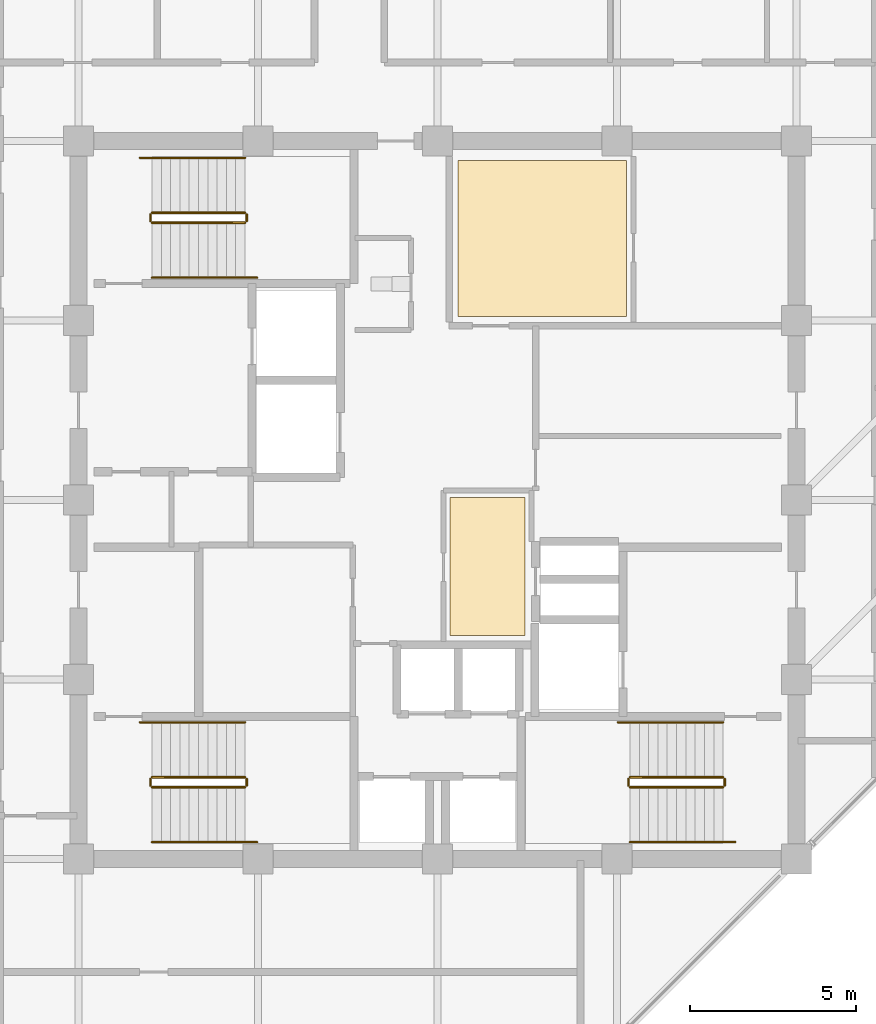
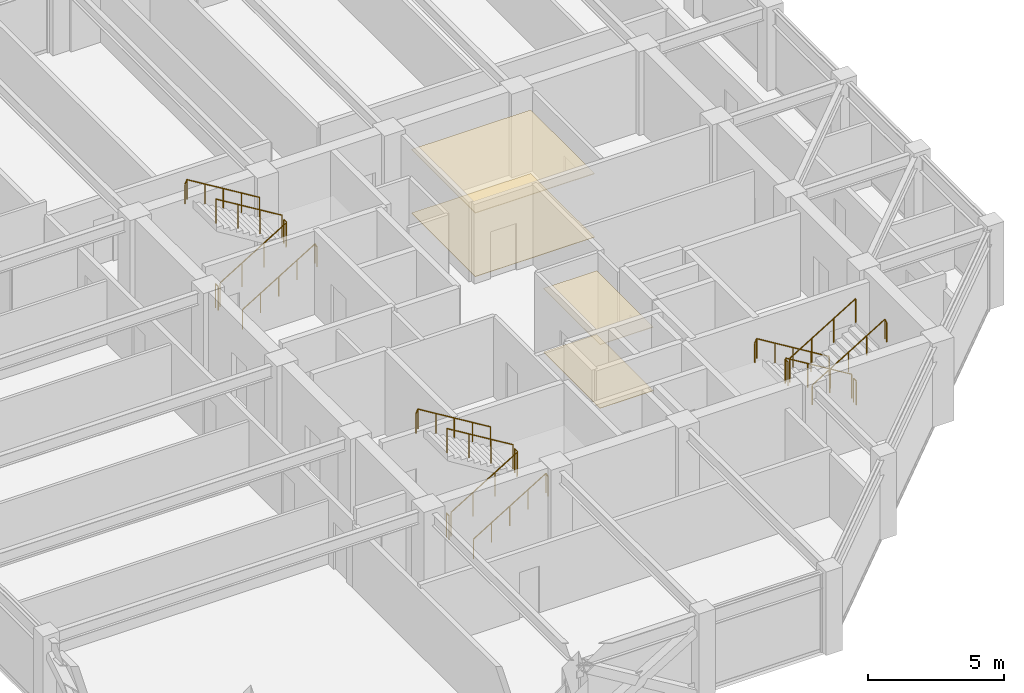
# One storey, part 30 of 31: 18 railings, 4 coverings.
"""IFC4 building model written with IfcOpenShell, lengths in metres."""

from ifc_helpers import new_model, si_unit, direction, frame, origin, origin_2d, place, context, subcontext, project, spatial, polyline, circle, outline, extrude, material, layer, layer_set, type_object, element, save


model = new_model("IFC4")

# Units and contexts
model_context = context("Model", 3, precision=1e-05, world=origin(), true_north=direction((0.0, 1.0)))
body_context = subcontext(model_context, "Body", "Model", "MODEL_VIEW")
ifc_project = project(units=[si_unit("LENGTHUNIT", "METRE"), si_unit("AREAUNIT", "SQUARE_METRE"), si_unit("VOLUMEUNIT", "CUBIC_METRE"), si_unit("PLANEANGLEUNIT", "RADIAN"), si_unit("MASSUNIT", "GRAM", prefix="KILO")], contexts=[model_context])

# Site, building, storey
site_placement = place(None, origin())
site = spatial("IfcSite", under=ifc_project, at=site_placement, CompositionType="ELEMENT")
building_placement = place(site_placement, origin())
building = spatial("IfcBuilding", under=site, at=building_placement, Name="Surkhivell Harbour Commons", CompositionType="ELEMENT")
storey_placement = place(building_placement, frame((0.0, 0.0, 288.75)))
storey = spatial("IfcBuildingStorey", under=building, at=storey_placement, Name="L75", CompositionType="ELEMENT", Elevation=288.75)

# Coverings
ifc_material_1 = material(Name="Perforated acoustic mineral-fibre ceiling tile", Category="other")
ifc_layer_1 = layer(ifc_material_1, 0.02490234375)
ifc_layer_set_1 = layer_set([ifc_layer_1], Name="Perforated acoustic mineral-fibre ceiling tile")
covering_type_1 = type_object("IfcCoveringType", Name="COV-CEIL-AC", PredefinedType="CEILING", material=ifc_layer_set_1)
covering_1_placement = place(storey_placement, frame((0.0, 0.0, 2.85205078125)))
element("IfcCovering", 1, at=covering_1_placement, inside=storey, type_object=covering_type_1, Name="L75 Suspended Acoustic Ceiling 1", PredefinedType="CEILING", context=body_context, shape_type="SweptSolid", body=[
    extrude(outline(polyline([(0.3701171875, -4.080078125), (2.6298828125, -4.080078125), (2.6298828125, 0.080078125), (0.3701171875, 0.080078125), (0.3701171875, -4.080078125)])), origin(), (0.0, 0.0, 1.0), 0.02490234375),
])
ifc_material_2 = material(Name="Moisture-resistant gypsum acoustic ceiling board", Category="other")
ifc_layer_2 = layer(ifc_material_2, 0.030029296875)
ifc_layer_set_2 = layer_set([ifc_layer_2], Name="Moisture-resistant gypsum acoustic ceiling board")
covering_type_2 = type_object("IfcCoveringType", Name="COV-CEIL-GYP", PredefinedType="CEILING", material=ifc_layer_set_2)
covering_2_placement = place(storey_placement, frame((0.0, 0.0, 2.846923828125)))
element("IfcCovering", 2, at=covering_2_placement, inside=storey, type_object=covering_type_2, Name="L75 Suspended Acoustic Ceiling 2", PredefinedType="CEILING", context=body_context, shape_type="SweptSolid", body=[
    extrude(outline(polyline([(0.6201171875, 5.52001953125), (5.679931640625, 5.52001953125), (5.679931640625, 10.219970703125), (0.6201171875, 10.219970703125), (0.6201171875, 5.52001953125)])), origin(), (0.0, 0.0, 1.0), 0.030029296875),
])
ifc_material_3 = material(Name="Engineered acoustic oak timber flooring", Category="wood")
ifc_layer_3 = layer(ifc_material_3, 0.02001953125)
ifc_layer_set_3 = layer_set([ifc_layer_3], Name="Engineered acoustic oak timber flooring")
covering_type_3 = type_object("IfcCoveringType", Name="COV-FLR-TIM", PredefinedType="FLOORING", material=ifc_layer_set_3)
covering_3_placement = place(storey_placement, origin())
element("IfcCovering", 3, at=covering_3_placement, inside=storey, type_object=covering_type_3, Name="L75 Interior Floor Finish 1", PredefinedType="FLOORING", context=body_context, shape_type="SweptSolid", body=[
    extrude(outline(polyline([(0.3701171875, -4.080078125), (2.6298828125, -4.080078125), (2.6298828125, 0.080078125), (0.3701171875, 0.080078125), (0.3701171875, -4.080078125)])), origin(), (0.0, 0.0, 1.0), 0.02001953125),
])
covering_4_placement = place(storey_placement, origin())
element("IfcCovering", 4, at=covering_4_placement, inside=storey, type_object=covering_type_3, Name="L75 Interior Floor Finish 2", PredefinedType="FLOORING", context=body_context, shape_type="SweptSolid", body=[
    extrude(outline(polyline([(0.6201171875, 5.52001953125), (5.679931640625, 5.52001953125), (5.679931640625, 10.219970703125), (0.6201171875, 10.219970703125), (0.6201171875, 5.52001953125)])), origin(), (0.0, 0.0, 1.0), 0.02001953125),
])

# Railings
ifc_material_4 = material(Name="Galvanised and painted steel S355 guard rail", Category="steel")
railing_type_1 = type_object("IfcRailingType", Name="RAL-ST-GRD1100", PredefinedType="GUARDRAIL", material=ifc_material_4)
railing_1_placement = place(storey_placement, frame((-8.590087890625, 8.340087890625, 0.17041015625)))
element("IfcRailing", 5, at=railing_1_placement, inside=storey, type_object=railing_type_1, Name="L75 ST1 stair guard 1", PredefinedType="GUARDRAIL", context=body_context, shape_type="SweptSolid", body=[
    extrude(circle(Radius=0.02392578125, at=origin_2d()), frame((0.0, 0.0, 1.076171875), z_axis=(0.854169791009, 0.0, 0.51999420009), x_axis=(0.0, 1.0, 0.0)), (0.0, 0.0, 1.0), 3.278076171875),
    extrude(circle(Radius=0.02099609375, at=origin_2d()), origin(), (0.0, 0.0, 1.0), 1.052001953125),
    extrude(circle(Radius=0.02099609375, at=origin_2d()), frame((0.933349609375, 0.0, 0.568115234375)), (0.0, 0.0, 1.0), 1.052001953125),
    extrude(circle(Radius=0.02099609375, at=origin_2d()), frame((1.86669921875, 0.0, 1.136474609375)), (0.0, 0.0, 1.0), 1.052001953125),
    extrude(circle(Radius=0.02099609375, at=origin_2d()), frame((2.800048828125, 0.0, 1.70458984375)), (0.0, 0.0, 1.0), 1.052001953125),
])
railing_2_placement = place(storey_placement, frame((-5.739990234375, 8.389892578125, 1.875)))
element("IfcRailing", 6, at=railing_2_placement, inside=storey, type_object=railing_type_1, Name="L75 ST1 stair guard 2", PredefinedType="GUARDRAIL", context=body_context, shape_type="SweptSolid", body=[
    extrude(circle(Radius=0.02392578125, at=origin_2d()), frame((0.0, 0.0, 1.076171875), z_axis=(0.0, 1.0, 0.0), x_axis=(-1.0, 0.0, 0.0)), (0.0, 0.0, 1.0), 0.2001953125),
    extrude(circle(Radius=0.02099609375, at=origin_2d()), origin(), (0.0, 0.0, 1.0), 1.052001953125),
    extrude(circle(Radius=0.02099609375, at=origin_2d()), frame((0.0, 0.2001953125, 0.0)), (0.0, 0.0, 1.0), 1.052001953125),
])
railing_3_placement = place(storey_placement, frame((-5.7900390625, 8.639892578125, 2.04541015625)))
element("IfcRailing", 7, at=railing_3_placement, inside=storey, type_object=railing_type_1, Name="L75 ST1 stair guard 3", PredefinedType="GUARDRAIL", context=body_context, shape_type="SweptSolid", body=[
    extrude(circle(Radius=0.02392578125, at=origin_2d()), frame((0.0, 0.0, 1.076171875), z_axis=(-0.854169791009, 0.0, 0.51999420009), x_axis=(0.0, -1.0, 0.0)), (0.0, 0.0, 1.0), 3.278076171875),
    extrude(circle(Radius=0.02099609375, at=origin_2d()), origin(), (0.0, 0.0, 1.0), 1.052001953125),
    extrude(circle(Radius=0.02099609375, at=origin_2d()), frame((-0.933349609375, 0.0, 0.568115234375)), (0.0, 0.0, 1.0), 1.052001953125),
    extrude(circle(Radius=0.02099609375, at=origin_2d()), frame((-1.86669921875, 0.0, 1.136474609375)), (0.0, 0.0, 1.0), 1.052001953125),
    extrude(circle(Radius=0.02099609375, at=origin_2d()), frame((-2.800048828125, 0.0, 1.70458984375)), (0.0, 0.0, 1.0), 1.052001953125),
])
railing_4_placement = place(storey_placement, frame((-8.639892578125, 8.389892578125, 0.0)))
element("IfcRailing", 8, at=railing_4_placement, inside=storey, type_object=railing_type_1, Name="L75 ST1 stair guard 4", PredefinedType="GUARDRAIL", context=body_context, shape_type="SweptSolid", body=[
    extrude(circle(Radius=0.02392578125, at=origin_2d()), frame((0.0, 0.0, 1.076171875), z_axis=(0.0, 1.0, 0.0), x_axis=(-1.0, 0.0, 0.0)), (0.0, 0.0, 1.0), 0.2001953125),
    extrude(circle(Radius=0.02099609375, at=origin_2d()), origin(), (0.0, 0.0, 1.0), 1.052001953125),
    extrude(circle(Radius=0.02099609375, at=origin_2d()), frame((0.0, 0.2001953125, 0.0)), (0.0, 0.0, 1.0), 1.052001953125),
])
railing_5_placement = place(storey_placement, frame((8.590087890625, -8.340087890625, 0.17041015625)))
element("IfcRailing", 9, at=railing_5_placement, inside=storey, type_object=railing_type_1, Name="L75 ST2 stair guard 1", PredefinedType="GUARDRAIL", context=body_context, shape_type="SweptSolid", body=[
    extrude(circle(Radius=0.02392578125, at=origin_2d()), frame((0.0, 0.0, 1.076171875), z_axis=(-0.854169791009, 0.0, 0.51999420009), x_axis=(0.0, -1.0, 0.0)), (0.0, 0.0, 1.0), 3.278076171875),
    extrude(circle(Radius=0.02099609375, at=origin_2d()), origin(), (0.0, 0.0, 1.0), 1.052001953125),
    extrude(circle(Radius=0.02099609375, at=origin_2d()), frame((-0.933349609375, 0.0, 0.568115234375)), (0.0, 0.0, 1.0), 1.052001953125),
    extrude(circle(Radius=0.02099609375, at=origin_2d()), frame((-1.86669921875, 0.0, 1.136474609375)), (0.0, 0.0, 1.0), 1.052001953125),
    extrude(circle(Radius=0.02099609375, at=origin_2d()), frame((-2.800048828125, 0.0, 1.70458984375)), (0.0, 0.0, 1.0), 1.052001953125),
])
railing_6_placement = place(storey_placement, frame((5.739990234375, -8.389892578125, 1.875)))
element("IfcRailing", 10, at=railing_6_placement, inside=storey, type_object=railing_type_1, Name="L75 ST2 stair guard 2", PredefinedType="GUARDRAIL", context=body_context, shape_type="SweptSolid", body=[
    extrude(circle(Radius=0.02392578125, at=origin_2d()), frame((0.0, 0.0, 1.076171875), z_axis=(0.0, -1.0, 0.0), x_axis=(1.0, 0.0, 0.0)), (0.0, 0.0, 1.0), 0.2001953125),
    extrude(circle(Radius=0.02099609375, at=origin_2d()), origin(), (0.0, 0.0, 1.0), 1.052001953125),
    extrude(circle(Radius=0.02099609375, at=origin_2d()), frame((0.0, -0.2001953125, 0.0)), (0.0, 0.0, 1.0), 1.052001953125),
])
railing_7_placement = place(storey_placement, frame((5.7900390625, -8.639892578125, 2.04541015625)))
element("IfcRailing", 11, at=railing_7_placement, inside=storey, type_object=railing_type_1, Name="L75 ST2 stair guard 3", PredefinedType="GUARDRAIL", context=body_context, shape_type="SweptSolid", body=[
    extrude(circle(Radius=0.02392578125, at=origin_2d()), frame((0.0, 0.0, 1.076171875), z_axis=(0.854169791009, 0.0, 0.51999420009), x_axis=(0.0, 1.0, 0.0)), (0.0, 0.0, 1.0), 3.278076171875),
    extrude(circle(Radius=0.02099609375, at=origin_2d()), origin(), (0.0, 0.0, 1.0), 1.052001953125),
    extrude(circle(Radius=0.02099609375, at=origin_2d()), frame((0.933349609375, 0.0, 0.568115234375)), (0.0, 0.0, 1.0), 1.052001953125),
    extrude(circle(Radius=0.02099609375, at=origin_2d()), frame((1.86669921875, 0.0, 1.136474609375)), (0.0, 0.0, 1.0), 1.052001953125),
    extrude(circle(Radius=0.02099609375, at=origin_2d()), frame((2.800048828125, 0.0, 1.70458984375)), (0.0, 0.0, 1.0), 1.052001953125),
])
railing_8_placement = place(storey_placement, frame((8.639892578125, -8.389892578125, 0.0)))
element("IfcRailing", 12, at=railing_8_placement, inside=storey, type_object=railing_type_1, Name="L75 ST2 stair guard 4", PredefinedType="GUARDRAIL", context=body_context, shape_type="SweptSolid", body=[
    extrude(circle(Radius=0.02392578125, at=origin_2d()), frame((0.0, 0.0, 1.076171875), z_axis=(0.0, -1.0, 0.0), x_axis=(1.0, 0.0, 0.0)), (0.0, 0.0, 1.0), 0.2001953125),
    extrude(circle(Radius=0.02099609375, at=origin_2d()), origin(), (0.0, 0.0, 1.0), 1.052001953125),
    extrude(circle(Radius=0.02099609375, at=origin_2d()), frame((0.0, -0.2001953125, 0.0)), (0.0, 0.0, 1.0), 1.052001953125),
])
railing_9_placement = place(storey_placement, frame((-8.590087890625, -8.639892578125, 0.17041015625)))
element("IfcRailing", 13, at=railing_9_placement, inside=storey, type_object=railing_type_1, Name="L75 ST3 stair guard 1", PredefinedType="GUARDRAIL", context=body_context, shape_type="SweptSolid", body=[
    extrude(circle(Radius=0.02392578125, at=origin_2d()), frame((0.0, 0.0, 1.076171875), z_axis=(0.854169791009, 0.0, 0.51999420009), x_axis=(0.0, 1.0, 0.0)), (0.0, 0.0, 1.0), 3.278076171875),
    extrude(circle(Radius=0.02099609375, at=origin_2d()), origin(), (0.0, 0.0, 1.0), 1.052001953125),
    extrude(circle(Radius=0.02099609375, at=origin_2d()), frame((0.933349609375, 0.0, 0.568115234375)), (0.0, 0.0, 1.0), 1.052001953125),
    extrude(circle(Radius=0.02099609375, at=origin_2d()), frame((1.86669921875, 0.0, 1.136474609375)), (0.0, 0.0, 1.0), 1.052001953125),
    extrude(circle(Radius=0.02099609375, at=origin_2d()), frame((2.800048828125, 0.0, 1.70458984375)), (0.0, 0.0, 1.0), 1.052001953125),
])
railing_10_placement = place(storey_placement, frame((-5.739990234375, -8.590087890625, 1.875)))
element("IfcRailing", 14, at=railing_10_placement, inside=storey, type_object=railing_type_1, Name="L75 ST3 stair guard 2", PredefinedType="GUARDRAIL", context=body_context, shape_type="SweptSolid", body=[
    extrude(circle(Radius=0.02392578125, at=origin_2d()), frame((0.0, 0.0, 1.076171875), z_axis=(0.0, 1.0, 0.0), x_axis=(-1.0, 0.0, 0.0)), (0.0, 0.0, 1.0), 0.2001953125),
    extrude(circle(Radius=0.02099609375, at=origin_2d()), origin(), (0.0, 0.0, 1.0), 1.052001953125),
    extrude(circle(Radius=0.02099609375, at=origin_2d()), frame((0.0, 0.2001953125, 0.0)), (0.0, 0.0, 1.0), 1.052001953125),
])
railing_11_placement = place(storey_placement, frame((-5.7900390625, -8.340087890625, 2.04541015625)))
element("IfcRailing", 15, at=railing_11_placement, inside=storey, type_object=railing_type_1, Name="L75 ST3 stair guard 3", PredefinedType="GUARDRAIL", context=body_context, shape_type="SweptSolid", body=[
    extrude(circle(Radius=0.02392578125, at=origin_2d()), frame((0.0, 0.0, 1.076171875), z_axis=(-0.854169791009, 0.0, 0.51999420009), x_axis=(0.0, -1.0, 0.0)), (0.0, 0.0, 1.0), 3.278076171875),
    extrude(circle(Radius=0.02099609375, at=origin_2d()), origin(), (0.0, 0.0, 1.0), 1.052001953125),
    extrude(circle(Radius=0.02099609375, at=origin_2d()), frame((-0.933349609375, 0.0, 0.568115234375)), (0.0, 0.0, 1.0), 1.052001953125),
    extrude(circle(Radius=0.02099609375, at=origin_2d()), frame((-1.86669921875, 0.0, 1.136474609375)), (0.0, 0.0, 1.0), 1.052001953125),
    extrude(circle(Radius=0.02099609375, at=origin_2d()), frame((-2.800048828125, 0.0, 1.70458984375)), (0.0, 0.0, 1.0), 1.052001953125),
])
railing_12_placement = place(storey_placement, frame((-8.639892578125, -8.590087890625, 0.0)))
element("IfcRailing", 16, at=railing_12_placement, inside=storey, type_object=railing_type_1, Name="L75 ST3 stair guard 4", PredefinedType="GUARDRAIL", context=body_context, shape_type="SweptSolid", body=[
    extrude(circle(Radius=0.02392578125, at=origin_2d()), frame((0.0, 0.0, 1.076171875), z_axis=(0.0, 1.0, 0.0), x_axis=(-1.0, 0.0, 0.0)), (0.0, 0.0, 1.0), 0.2001953125),
    extrude(circle(Radius=0.02099609375, at=origin_2d()), origin(), (0.0, 0.0, 1.0), 1.052001953125),
    extrude(circle(Radius=0.02099609375, at=origin_2d()), frame((0.0, 0.2001953125, 0.0)), (0.0, 0.0, 1.0), 1.052001953125),
])
ifc_material_5 = material(Name="Brushed stainless steel S355 handrail", Category="steel")
railing_type_2 = type_object("IfcRailingType", Name="RAL-ST-HND900", PredefinedType="HANDRAIL", material=ifc_material_5)
railing_13_placement = place(storey_placement, frame((-8.590087890625, 6.68994140625, 0.17041015625)))
element("IfcRailing", 17, at=railing_13_placement, inside=storey, type_object=railing_type_2, Name="L75 ST1 stair handrail 1", PredefinedType="HANDRAIL", context=body_context, shape_type="SweptSolid", body=[
    extrude(circle(Radius=0.02392578125, at=origin_2d()), frame((0.0, 0.0, 0.8759765625), z_axis=(0.854177636135, 0.0, 0.519981313056), x_axis=(0.0, 1.0, 0.0)), (0.0, 0.0, 1.0), 3.60595703125),
    extrude(circle(Radius=0.02392578125, at=origin_2d()), frame((3.080078125, 0.0, 2.7509765625), z_axis=(0.425297416671, 0.0, -0.905053648892), x_axis=(0.0, 1.0, 0.0)), (0.0, 0.0, 1.0), 0.188232421875),
    extrude(circle(Radius=0.02099609375, at=origin_2d()), origin(), (0.0, 0.0, 1.0), 0.851806640625),
    extrude(circle(Radius=0.02099609375, at=origin_2d()), frame((0.77001953125, 0.0, 0.46875)), (0.0, 0.0, 1.0), 0.851806640625),
    extrude(circle(Radius=0.02099609375, at=origin_2d()), frame((1.5400390625, 0.0, 0.9375)), (0.0, 0.0, 1.0), 0.851806640625),
    extrude(circle(Radius=0.02099609375, at=origin_2d()), frame((2.31005859375, 0.0, 1.40625)), (0.0, 0.0, 1.0), 0.851806640625),
    extrude(circle(Radius=0.02099609375, at=origin_2d()), frame((3.080078125, 0.0, 1.875)), (0.0, 0.0, 1.0), 0.851806640625),
    extrude(circle(Radius=0.02099609375, at=origin_2d()), frame((3.16015625, 0.0, 1.70458984375)), (0.0, 0.0, 1.0), 0.851806640625),
])
railing_14_placement = place(storey_placement, frame((-5.7900390625, 10.2900390625, 2.04541015625)))
element("IfcRailing", 18, at=railing_14_placement, inside=storey, type_object=railing_type_2, Name="L75 ST1 stair handrail 2", PredefinedType="HANDRAIL", context=body_context, shape_type="SweptSolid", body=[
    extrude(circle(Radius=0.02392578125, at=origin_2d()), frame((0.0, 0.0, 0.8759765625), z_axis=(-0.854177636135, 0.0, 0.519981313056), x_axis=(0.0, -1.0, 0.0)), (0.0, 0.0, 1.0), 3.60595703125),
    extrude(circle(Radius=0.02392578125, at=origin_2d()), frame((-3.080078125, 0.0, 2.7509765625), z_axis=(-0.424234432967, 0.0, -0.905552398199), x_axis=(0.0, -1.0, 0.0)), (0.0, 0.0, 1.0), 0.188232421875),
    extrude(circle(Radius=0.02099609375, at=origin_2d()), origin(), (0.0, 0.0, 1.0), 0.851806640625),
    extrude(circle(Radius=0.02099609375, at=origin_2d()), frame((-0.77001953125, 0.0, 0.46875)), (0.0, 0.0, 1.0), 0.851806640625),
    extrude(circle(Radius=0.02099609375, at=origin_2d()), frame((-1.5400390625, 0.0, 0.9375)), (0.0, 0.0, 1.0), 0.851806640625),
    extrude(circle(Radius=0.02099609375, at=origin_2d()), frame((-2.31005859375, 0.0, 1.40625)), (0.0, 0.0, 1.0), 0.851806640625),
    extrude(circle(Radius=0.02099609375, at=origin_2d()), frame((-3.080078125, 0.0, 1.875)), (0.0, 0.0, 1.0), 0.851806640625),
    extrude(circle(Radius=0.02099609375, at=origin_2d()), frame((-3.159912109375, 0.0, 1.70458984375)), (0.0, 0.0, 1.0), 0.851806640625),
])
railing_15_placement = place(storey_placement, frame((8.590087890625, -6.68994140625, 0.17041015625)))
element("IfcRailing", 19, at=railing_15_placement, inside=storey, type_object=railing_type_2, Name="L75 ST2 stair handrail 1", PredefinedType="HANDRAIL", context=body_context, shape_type="SweptSolid", body=[
    extrude(circle(Radius=0.02392578125, at=origin_2d()), frame((0.0, 0.0, 0.8759765625), z_axis=(-0.854177636135, 0.0, 0.519981313056), x_axis=(0.0, -1.0, 0.0)), (0.0, 0.0, 1.0), 3.60595703125),
    extrude(circle(Radius=0.02392578125, at=origin_2d()), frame((-3.080078125, 0.0, 2.7509765625), z_axis=(-0.425297416671, 0.0, -0.905053648892), x_axis=(0.0, -1.0, 0.0)), (0.0, 0.0, 1.0), 0.188232421875),
    extrude(circle(Radius=0.02099609375, at=origin_2d()), origin(), (0.0, 0.0, 1.0), 0.851806640625),
    extrude(circle(Radius=0.02099609375, at=origin_2d()), frame((-0.77001953125, 0.0, 0.46875)), (0.0, 0.0, 1.0), 0.851806640625),
    extrude(circle(Radius=0.02099609375, at=origin_2d()), frame((-1.5400390625, 0.0, 0.9375)), (0.0, 0.0, 1.0), 0.851806640625),
    extrude(circle(Radius=0.02099609375, at=origin_2d()), frame((-2.31005859375, 0.0, 1.40625)), (0.0, 0.0, 1.0), 0.851806640625),
    extrude(circle(Radius=0.02099609375, at=origin_2d()), frame((-3.080078125, 0.0, 1.875)), (0.0, 0.0, 1.0), 0.851806640625),
    extrude(circle(Radius=0.02099609375, at=origin_2d()), frame((-3.16015625, 0.0, 1.70458984375)), (0.0, 0.0, 1.0), 0.851806640625),
])
railing_16_placement = place(storey_placement, frame((5.7900390625, -10.2900390625, 2.04541015625)))
element("IfcRailing", 20, at=railing_16_placement, inside=storey, type_object=railing_type_2, Name="L75 ST2 stair handrail 2", PredefinedType="HANDRAIL", context=body_context, shape_type="SweptSolid", body=[
    extrude(circle(Radius=0.02392578125, at=origin_2d()), frame((0.0, 0.0, 0.8759765625), z_axis=(0.854177636135, 0.0, 0.519981313056), x_axis=(0.0, 1.0, 0.0)), (0.0, 0.0, 1.0), 3.60595703125),
    extrude(circle(Radius=0.02392578125, at=origin_2d()), frame((3.080078125, 0.0, 2.7509765625), z_axis=(0.424234432967, 0.0, -0.905552398199), x_axis=(0.0, 1.0, 0.0)), (0.0, 0.0, 1.0), 0.188232421875),
    extrude(circle(Radius=0.02099609375, at=origin_2d()), origin(), (0.0, 0.0, 1.0), 0.851806640625),
    extrude(circle(Radius=0.02099609375, at=origin_2d()), frame((0.77001953125, 0.0, 0.46875)), (0.0, 0.0, 1.0), 0.851806640625),
    extrude(circle(Radius=0.02099609375, at=origin_2d()), frame((1.5400390625, 0.0, 0.9375)), (0.0, 0.0, 1.0), 0.851806640625),
    extrude(circle(Radius=0.02099609375, at=origin_2d()), frame((2.31005859375, 0.0, 1.40625)), (0.0, 0.0, 1.0), 0.851806640625),
    extrude(circle(Radius=0.02099609375, at=origin_2d()), frame((3.080078125, 0.0, 1.875)), (0.0, 0.0, 1.0), 0.851806640625),
    extrude(circle(Radius=0.02099609375, at=origin_2d()), frame((3.159912109375, 0.0, 1.70458984375)), (0.0, 0.0, 1.0), 0.851806640625),
])
railing_17_placement = place(storey_placement, frame((-8.590087890625, -10.2900390625, 0.17041015625)))
element("IfcRailing", 21, at=railing_17_placement, inside=storey, type_object=railing_type_2, Name="L75 ST3 stair handrail 1", PredefinedType="HANDRAIL", context=body_context, shape_type="SweptSolid", body=[
    extrude(circle(Radius=0.02392578125, at=origin_2d()), frame((0.0, 0.0, 0.8759765625), z_axis=(0.854177636135, 0.0, 0.519981313056), x_axis=(0.0, 1.0, 0.0)), (0.0, 0.0, 1.0), 3.60595703125),
    extrude(circle(Radius=0.02392578125, at=origin_2d()), frame((3.080078125, 0.0, 2.7509765625), z_axis=(0.425297416671, 0.0, -0.905053648892), x_axis=(0.0, 1.0, 0.0)), (0.0, 0.0, 1.0), 0.188232421875),
    extrude(circle(Radius=0.02099609375, at=origin_2d()), origin(), (0.0, 0.0, 1.0), 0.851806640625),
    extrude(circle(Radius=0.02099609375, at=origin_2d()), frame((0.77001953125, 0.0, 0.46875)), (0.0, 0.0, 1.0), 0.851806640625),
    extrude(circle(Radius=0.02099609375, at=origin_2d()), frame((1.5400390625, 0.0, 0.9375)), (0.0, 0.0, 1.0), 0.851806640625),
    extrude(circle(Radius=0.02099609375, at=origin_2d()), frame((2.31005859375, 0.0, 1.40625)), (0.0, 0.0, 1.0), 0.851806640625),
    extrude(circle(Radius=0.02099609375, at=origin_2d()), frame((3.080078125, 0.0, 1.875)), (0.0, 0.0, 1.0), 0.851806640625),
    extrude(circle(Radius=0.02099609375, at=origin_2d()), frame((3.16015625, 0.0, 1.70458984375)), (0.0, 0.0, 1.0), 0.851806640625),
])
railing_18_placement = place(storey_placement, frame((-5.7900390625, -6.68994140625, 2.04541015625)))
element("IfcRailing", 22, at=railing_18_placement, inside=storey, type_object=railing_type_2, Name="L75 ST3 stair handrail 2", PredefinedType="HANDRAIL", context=body_context, shape_type="SweptSolid", body=[
    extrude(circle(Radius=0.02392578125, at=origin_2d()), frame((0.0, 0.0, 0.8759765625), z_axis=(-0.854177636135, 0.0, 0.519981313056), x_axis=(0.0, -1.0, 0.0)), (0.0, 0.0, 1.0), 3.60595703125),
    extrude(circle(Radius=0.02392578125, at=origin_2d()), frame((-3.080078125, 0.0, 2.7509765625), z_axis=(-0.424234432967, 0.0, -0.905552398199), x_axis=(0.0, -1.0, 0.0)), (0.0, 0.0, 1.0), 0.188232421875),
    extrude(circle(Radius=0.02099609375, at=origin_2d()), origin(), (0.0, 0.0, 1.0), 0.851806640625),
    extrude(circle(Radius=0.02099609375, at=origin_2d()), frame((-0.77001953125, 0.0, 0.46875)), (0.0, 0.0, 1.0), 0.851806640625),
    extrude(circle(Radius=0.02099609375, at=origin_2d()), frame((-1.5400390625, 0.0, 0.9375)), (0.0, 0.0, 1.0), 0.851806640625),
    extrude(circle(Radius=0.02099609375, at=origin_2d()), frame((-2.31005859375, 0.0, 1.40625)), (0.0, 0.0, 1.0), 0.851806640625),
    extrude(circle(Radius=0.02099609375, at=origin_2d()), frame((-3.080078125, 0.0, 1.875)), (0.0, 0.0, 1.0), 0.851806640625),
    extrude(circle(Radius=0.02099609375, at=origin_2d()), frame((-3.159912109375, 0.0, 1.70458984375)), (0.0, 0.0, 1.0), 0.851806640625),
])

save(model, "model.ifc")
